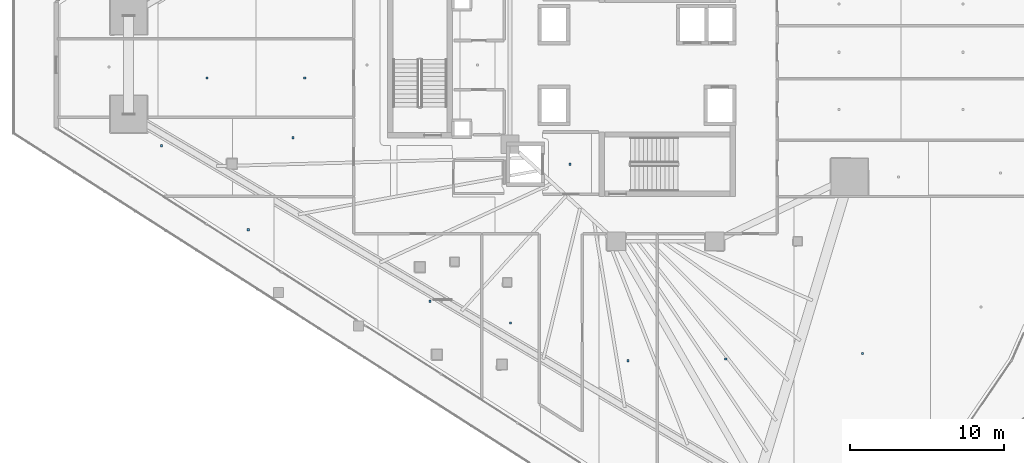
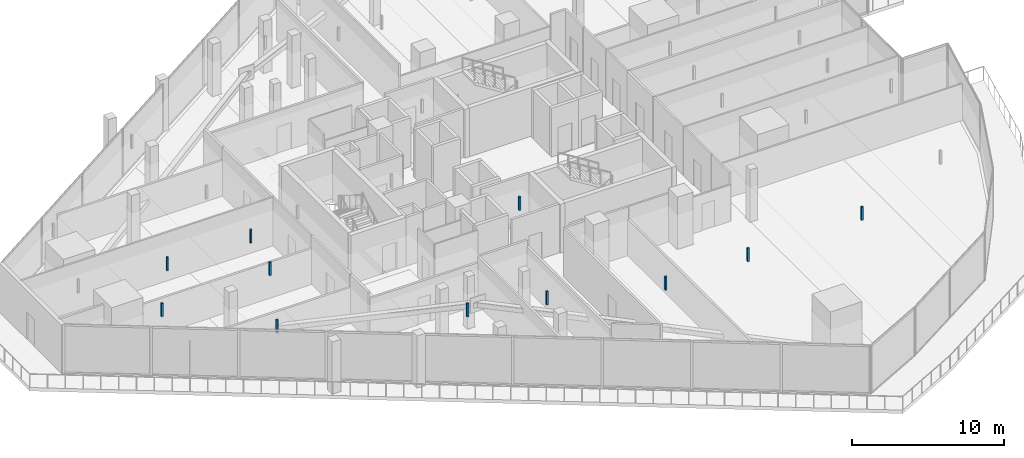
# One storey, part 40 of 52: 11 discrete accessories.
"""IFC4 building model written with IfcOpenShell, lengths in metres."""

import ifcopenshell
import ifcopenshell.guid

model = None  # the IFC model being written
_history = None  # IfcOwnerHistory: only IFC2X3 demands one
_inside = {}  # id of a spatial element -> (the spatial element, [elements in it])
_under = {}  # id of a project, library or spatial element -> (it, [spatial elements below it])
_declared = {}  # id of a project -> (the project, [libraries it declares])
_typed = {}  # id of a type object -> (the type object, [elements of that type])
_made_of = {}  # id of a material, layer set ... -> (it, [elements and type objects made of it])


def new_model(schema):
    """Start an empty IFC model of exactly this schema.

    Asked for "IFC4X3", IfcOpenShell would pick the latest addendum, in which some entities
    have other attributes; the version numbers below select the first issue.
    IFC2X3 requires an IfcOwnerHistory on every rooted entity: one is made here for all.
    """
    global model, _history
    if schema == "IFC4X3":
        model = ifcopenshell.file(schema_version=(4, 3, 0, 0))
    else:
        model = ifcopenshell.file(schema=schema)
    _inside.clear()
    _under.clear()
    _declared.clear()
    _typed.clear()
    _made_of.clear()
    _history = None
    if model.schema == "IFC2X3":
        org = make("IfcOrganization", Name="unknown")
        user = make(
            "IfcPersonAndOrganization",
            ThePerson=make("IfcPerson", FamilyName="unknown"),
            TheOrganization=org,
        )
        app = make(
            "IfcApplication",
            ApplicationDeveloper=org,
            Version="unknown",
            ApplicationFullName="unknown",
            ApplicationIdentifier="unknown",
        )
        _history = make(
            "IfcOwnerHistory",
            OwningUser=user,
            OwningApplication=app,
            ChangeAction="ADDED",
            CreationDate=0,
        )
    return model


def make(cls, **values):
    """One entity of the class cls with the attributes given. An attribute that is None is left unset."""
    return model.create_entity(
        cls, **{name: value for name, value in values.items() if value is not None}
    )


def rooted(cls, **values):
    """An entity with a GlobalId (a new one), such as an element, a storey or a relation."""
    return make(cls, GlobalId=ifcopenshell.guid.new(), OwnerHistory=_history, **values)


def si_unit(unit_type, name, prefix=None):
    """IfcSIUnit, for example si_unit("LENGTHUNIT", "METRE", prefix="MILLI")."""
    return make("IfcSIUnit", UnitType=unit_type, Prefix=prefix, Name=name)


def assignment(units):
    """IfcUnitAssignment: the units of a project."""
    return None if units is None else make("IfcUnitAssignment", Units=units)


def point(xyz):
    """IfcCartesianPoint."""
    return None if xyz is None else make("IfcCartesianPoint", Coordinates=xyz)


def direction(xyz):
    """IfcDirection."""
    return None if xyz is None else make("IfcDirection", DirectionRatios=xyz)


def frame(location, z_axis=None, x_axis=None):
    """IfcAxis2Placement3D, a coordinate frame: its origin and axes. An axis left out is left unset."""
    return make(
        "IfcAxis2Placement3D",
        Location=point(location),
        Axis=direction(z_axis),
        RefDirection=direction(x_axis),
    )


def frame_2d(location, x_axis=None):
    """IfcAxis2Placement2D, a coordinate frame in the plane: its origin and x axis."""
    return make(
        "IfcAxis2Placement2D", Location=point(location), RefDirection=direction(x_axis)
    )


def origin():
    """The frame at (0, 0, 0) with its axes left unset."""
    return frame((0.0, 0.0, 0.0))


def origin_2d():
    """The frame at (0, 0) in the plane with its x axis left unset."""
    return frame_2d((0.0, 0.0))


def place(relative_to, where):
    """IfcLocalPlacement: puts the frame where relative to a parent placement (None: the world)."""
    return make(
        "IfcLocalPlacement", PlacementRelTo=relative_to, RelativePlacement=where
    )


def context(
    kind, dimensions, precision=None, world=None, true_north=None, identifier=None
):
    """IfcGeometricRepresentationContext, for example the 3D "Model" context."""
    return make(
        "IfcGeometricRepresentationContext",
        ContextIdentifier=identifier,
        ContextType=kind,
        CoordinateSpaceDimension=dimensions,
        Precision=precision,
        WorldCoordinateSystem=world,
        TrueNorth=true_north,
    )


def subcontext(parent, identifier, kind, view, scale=None):
    """IfcGeometricRepresentationSubContext, for example "Body" below "Model"."""
    return make(
        "IfcGeometricRepresentationSubContext",
        ContextIdentifier=identifier,
        ContextType=kind,
        ParentContext=parent,
        TargetScale=scale,
        TargetView=view,
    )


def project(units=None, contexts=None):
    """IfcProject with its units and contexts."""
    return rooted(
        "IfcProject",
        Name="project",
        RepresentationContexts=contexts,
        UnitsInContext=assignment(units),
    )


def spatial(cls, under=None, at=None, **own):
    """A site, building, storey or space (cls), placed at a placement, below another one or the project."""
    s = rooted(cls, ObjectPlacement=at, **own)
    if under is not None:
        _under.setdefault(under.id(), (under, []))[1].append(s)
    return s


def profile(cls, at=None, kind="AREA", **sizes):
    """A parametric profile (cls). Its sizes go by their IFC names, for example OverallWidth=200.0."""
    return make(cls, ProfileType=kind, Position=at, **sizes)


def rectangle(**sizes):
    """IfcRectangleProfileDef."""
    return profile("IfcRectangleProfileDef", **sizes)


def extrude(swept, where, along, depth):
    """IfcExtrudedAreaSolid: the profile swept, set in the frame where, extruded along a direction by depth."""
    return make(
        "IfcExtrudedAreaSolid",
        SweptArea=swept,
        Position=where,
        ExtrudedDirection=direction(along),
        Depth=depth,
    )


def shape(context_of_items, identifier, shape_type, items):
    """IfcShapeRepresentation: the items that make up one representation, for example the "Body"."""
    return make(
        "IfcShapeRepresentation",
        ContextOfItems=context_of_items,
        RepresentationIdentifier=identifier,
        RepresentationType=shape_type,
        Items=items,
    )


def material(Name=None, Category=None):
    """IfcMaterial."""
    return make("IfcMaterial", Name=Name, Category=Category)


def made_of(thing, what):
    """Note that an element or type object is made of a material, layer set ...; save() writes the relation."""
    if what is not None:
        _made_of.setdefault(what.id(), (what, []))[1].append(thing)
    return thing


def type_object(cls, material=None, **own):
    """A type object (cls), such as IfcWallType, which elements share."""
    return made_of(rooted(cls, **own), material)


def element(
    cls,
    number,
    at=None,
    inside=None,
    cuts=None,
    type_object=None,
    material=None,
    context=None,
    identifier="Body",
    shape_type=None,
    held_by="IfcProductDefinitionShape",
    body=None,
    shapes=None,
    **own,
):
    """One element of the class cls, such as IfcWall. Its Tag is "e" and its number.

    at: its placement. inside: the storey or other place that contains it. cuts: it is an
    opening in that element (IfcRelVoidsElement). A single representation is given by context,
    identifier, shape_type and body (its items); several are given by shapes. held_by: the class
    of the entity that holds the representations. save() writes the other relations.
    """
    e = rooted(cls, Tag="e%d" % number, ObjectPlacement=at, **own)
    if body is not None:
        shapes = [shape(context, identifier, shape_type, body)]
    if shapes is not None:
        e.Representation = make(held_by, Representations=shapes)
    if inside is not None:
        _inside.setdefault(inside.id(), (inside, []))[1].append(e)
    if cuts is not None:
        rooted(
            "IfcRelVoidsElement", RelatingBuildingElement=cuts, RelatedOpeningElement=e
        )
    if type_object is not None:
        _typed.setdefault(type_object.id(), (type_object, []))[1].append(e)
    return made_of(e, material)


def aggregate(whole, parts):
    """IfcRelAggregates: a whole, such as a stair, and the parts it consists of."""
    return rooted("IfcRelAggregates", RelatingObject=whole, RelatedObjects=parts)


def save(model, path):
    """Write the relations noted so far, then the file.

    IfcRelAggregates (storeys below a building ...), IfcRelContainedInSpatialStructure (elements
    in a storey), IfcRelDefinesByType, IfcRelAssociatesMaterial and IfcRelDeclares: one each for
    every whole, place, type object, material and project.
    """
    for whole, parts in _under.values():
        aggregate(whole, parts)
    for where, things in _inside.values():
        rooted(
            "IfcRelContainedInSpatialStructure",
            RelatedElements=things,
            RelatingStructure=where,
        )
    for kind, things in _typed.values():
        rooted("IfcRelDefinesByType", RelatedObjects=things, RelatingType=kind)
    for what, things in _made_of.values():
        rooted("IfcRelAssociatesMaterial", RelatedObjects=things, RelatingMaterial=what)
    for by, libraries in _declared.values():
        rooted("IfcRelDeclares", RelatingContext=by, RelatedDefinitions=libraries)
    model.write(path)


model = new_model("IFC4")

# Units and contexts
model_context = context("Model", 3, precision=1e-05, world=origin(), true_north=direction((0.0, 1.0)))
body_context = subcontext(model_context, "Body", "Model", "MODEL_VIEW")
ifc_project = project(units=[si_unit("LENGTHUNIT", "METRE"), si_unit("AREAUNIT", "SQUARE_METRE"), si_unit("VOLUMEUNIT", "CUBIC_METRE"), si_unit("PLANEANGLEUNIT", "RADIAN"), si_unit("MASSUNIT", "GRAM", prefix="KILO")], contexts=[model_context])

# Site, building, storey
site_placement = place(None, origin())
site = spatial("IfcSite", under=ifc_project, at=site_placement, CompositionType="ELEMENT")
building_placement = place(site_placement, origin())
building = spatial("IfcBuilding", under=site, at=building_placement, Name="Qorvath Tower", CompositionType="ELEMENT")
storey_placement = place(building_placement, frame((0.0, 0.0, 61.800048828125)))
storey = spatial("IfcBuildingStorey", under=building, at=storey_placement, Name="L13", CompositionType="ELEMENT", Elevation=61.800048828125)

# Discrete accessories
ifc_material = material(Name="Galvanised steel bracket", Category="steel")
discrete_accessory_type = type_object("IfcDiscreteAccessoryType", Name="DA-BRACKET", PredefinedType="BRACKET", material=ifc_material)
for number, where, z_axis, x_axis, name in (
    (1, (-26.590087890625, -6.449951171875, 2.85986328125), (0.0, 0.0, 1.0), (1.0, 0.0, 0.0), "Acoustic Ceiling Suspension Hanger T1-L13-002"),
    (2, (-47.518798828125, -10.7041015625, 2.85986328125), (0.0, 0.0, 1.0), (1.0, 0.0, 0.0), "Acoustic Ceiling Suspension Hanger T1-L13-019"),
    (3, (-35.707275390625, -15.348388671875, 2.85986328125), (0.0, 0.0, 1.0), (1.0, 0.0, 0.0), "Acoustic Ceiling Suspension Hanger T1-L13-021"),
    (4, (-30.46337890625, -16.776123046875, 2.85986328125), (0.0, 0.0, 1.0), (1.0, 0.0, 0.0), "Acoustic Ceiling Suspension Hanger T1-L13-022"),
    (5, (-22.83642578125, -19.225341796875, 2.85986328125), (0.0, 0.0, 1.0), (1.0, 0.0, 0.0), "Acoustic Ceiling Suspension Hanger T1-L13-024"),
    (6, (-16.481201171875, -19.09912109375, 2.85986328125), (0.0, 0.0, 1.0), (1.0, 0.0, 0.0), "Acoustic Ceiling Suspension Hanger T1-L13-025"),
    (7, (-7.59814453125, -18.740234375, 2.85986328125), (0.0, 0.0, 1.0), (1.0, 0.0, 0.0), "Acoustic Ceiling Suspension Hanger T1-L13-026"),
    (8, (-53.143310546875, -5.2470703125, 2.85986328125), (0.0, 0.0, 1.0), (1.0, 0.0, 0.0), "Acoustic Ceiling Suspension Hanger T1-L13-038"),
    (9, (-44.607177734375, -4.728271484375, 2.85986328125), (0.0, 0.0, 1.0), (1.0, 0.0, 0.0), "Acoustic Ceiling Suspension Hanger T1-L13-039"),
    (10, (-50.203125, -0.845947265625, 2.85986328125), (0.0, 0.0, 1.0), (1.0, 0.0, 0.0), "Acoustic Ceiling Suspension Hanger T1-L13-041"),
    (11, (-43.843017578125, -0.845947265625, 2.85986328125), (0.0, 0.0, 1.0), (1.0, 0.0, 0.0), "Acoustic Ceiling Suspension Hanger T1-L13-042"),
):
    element("IfcDiscreteAccessory", number, at=place(storey_placement, frame(where, z_axis=z_axis, x_axis=x_axis)), inside=storey, type_object=discrete_accessory_type, Name=name, PredefinedType="NOTDEFINED", context=body_context, shape_type="SweptSolid", body=[
        extrude(rectangle(XDim=0.139892578125, YDim=0.139892578125, at=origin_2d()), origin(), (0.0, 0.0, 1.0), 1.090087890625),
    ])

save(model, "model.ifc")
